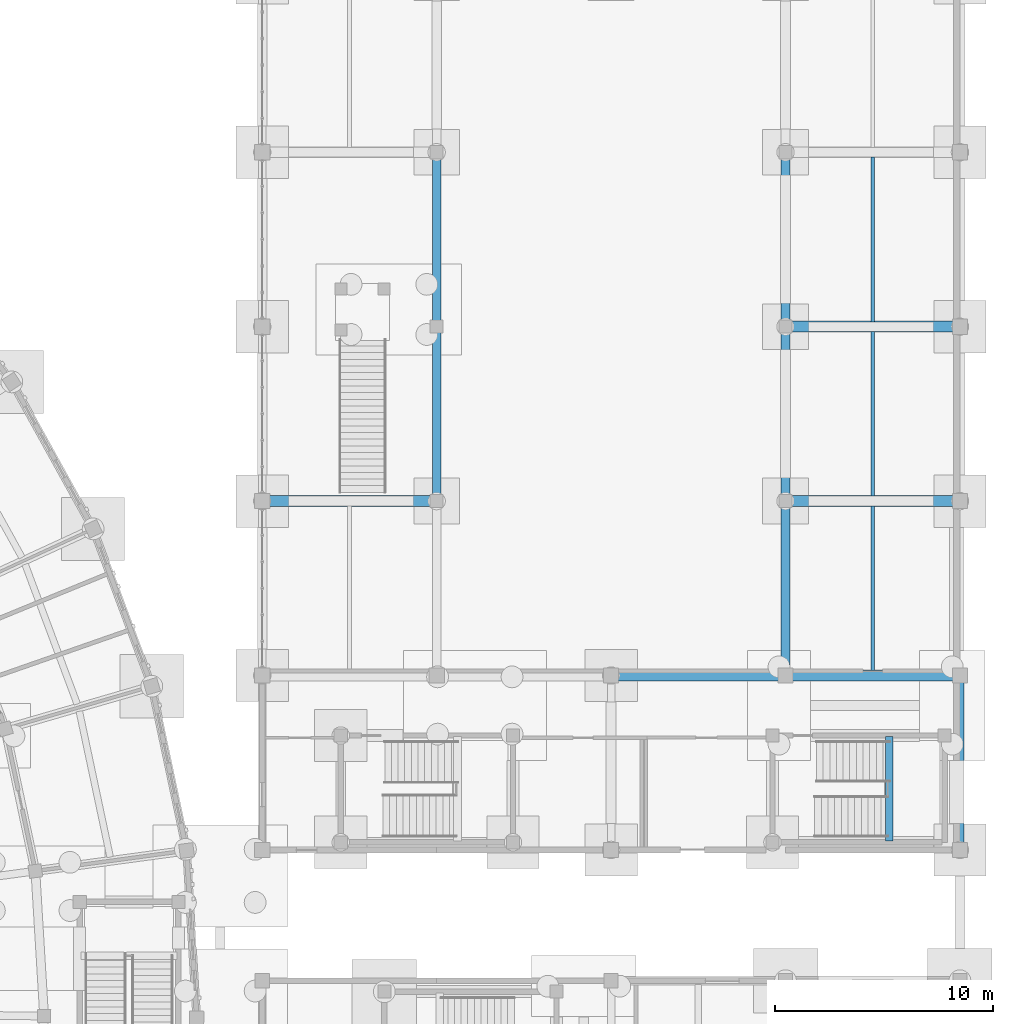
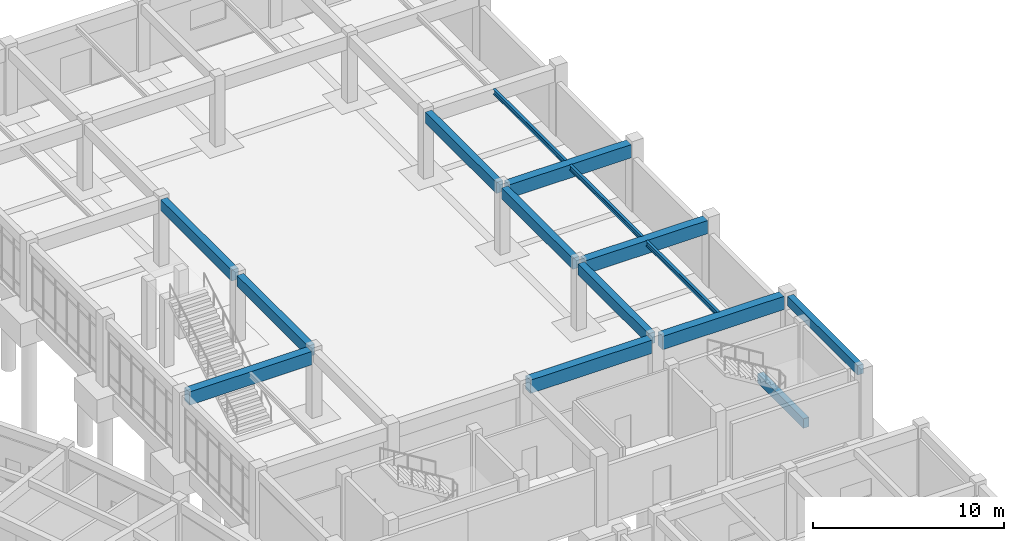
# One storey, part 98 of 153: 15 beams.
"""IFC4 building model written with IfcOpenShell, lengths in metres."""

from ifc_helpers import new_model, si_unit, direction, frame, origin, origin_2d, place, context, subcontext, project, spatial, rectangle, i_section, extrude, material, material_profile, profile_set, type_object, element, save


model = new_model("IFC4")

# Units and contexts
model_context = context("Model", 3, precision=1e-05, world=origin(), true_north=direction((0.0, 1.0)))
body_context = subcontext(model_context, "Body", "Model", "MODEL_VIEW")
ifc_project = project(units=[si_unit("LENGTHUNIT", "METRE"), si_unit("AREAUNIT", "SQUARE_METRE"), si_unit("VOLUMEUNIT", "CUBIC_METRE"), si_unit("PLANEANGLEUNIT", "RADIAN"), si_unit("MASSUNIT", "GRAM", prefix="KILO")], contexts=[model_context])

# Site, building, storey
site_placement = place(None, origin())
site = spatial("IfcSite", under=ifc_project, at=site_placement, CompositionType="ELEMENT")
building_placement = place(site_placement, origin())
building = spatial("IfcBuilding", under=site, at=building_placement, Name="Celadon Cloister-Ring School", CompositionType="ELEMENT")
storey_placement = place(building_placement, origin())
storey = spatial("IfcBuildingStorey", under=building, at=storey_placement, Name="L00", CompositionType="ELEMENT", Elevation=0.0)

# Beams
ifc_material_1 = material(Name="Concrete C35/45", Category="concrete")
ifc_material_profile_1 = material_profile(ifc_material_1, rectangle(XDim=0.39990234375, YDim=0.699951171875, at=origin_2d()), Name="RC400X700")
ifc_profile_set_1 = profile_set([ifc_material_profile_1], Name="Concrete C35/45")
beam_type_1 = type_object("IfcBeamType", Name="BT-01", PredefinedType="BEAM", material=ifc_profile_set_1)
for number, where, z_axis, x_axis, name in (
    (1, (150.0, 82.27490234375, 3.909912109375), (0.0, 1.0, 0.0), (-1.0, 0.0, 0.0), "Beam 1138"),
    (2, (150.0, 90.27490234375, 3.909912109375), (0.0, 1.0, 0.0), (-1.0, 0.0, 0.0), "Beam 1139"),
):
    element("IfcBeam", number, at=place(storey_placement, frame(where, z_axis=z_axis, x_axis=x_axis)), inside=storey, type_object=beam_type_1, Name=name, PredefinedType="BEAM", context=body_context, shape_type="SweptSolid", body=[
        extrude(rectangle(XDim=0.39990234375, YDim=0.699951171875, at=origin_2d()), origin(), (0.0, 0.0, 1.0), 7.4501953125),
    ])
beam_1_placement = place(storey_placement, frame((166.0, 74.324951171875, 3.909912109375), z_axis=(0.0, 1.0, 0.0), x_axis=(-1.0, 0.0, 0.0)))
element("IfcBeam", 3, at=beam_1_placement, inside=storey, type_object=beam_type_1, Name="Beam 1144", PredefinedType="BEAM", context=body_context, shape_type="SweptSolid", body=[
    extrude(rectangle(XDim=0.39990234375, YDim=0.699951171875, at=origin_2d()), origin(), (0.0, 0.0, 1.0), 7.400146484375),
])
for number, where, z_axis, x_axis, name in (
    (4, (166.0, 82.27490234375, 3.909912109375), (0.0, 1.0, 0.0), (-1.0, 0.0, 0.0), "Beam 1145"),
    (5, (166.0, 90.27490234375, 3.909912109375), (0.0, 1.0, 0.0), (-1.0, 0.0, 0.0), "Beam 1146"),
):
    element("IfcBeam", number, at=place(storey_placement, frame(where, z_axis=z_axis, x_axis=x_axis)), inside=storey, type_object=beam_type_1, Name=name, PredefinedType="BEAM", context=body_context, shape_type="SweptSolid", body=[
        extrude(rectangle(XDim=0.39990234375, YDim=0.699951171875, at=origin_2d()), origin(), (0.0, 0.0, 1.0), 7.4501953125),
    ])
ifc_material_2 = material(Name="Concrete C35/45", Category="concrete")
ifc_material_profile_2 = material_profile(ifc_material_2, rectangle(XDim=0.35009765625, YDim=0.60009765625, at=origin_2d()), Name="RC350X600")
ifc_profile_set_2 = profile_set([ifc_material_profile_2], Name="Concrete C35/45")
beam_type_2 = type_object("IfcBeamType", Name="BT-02", PredefinedType="BEAM", material=ifc_profile_set_2)
beam_2_placement = place(storey_placement, frame((174.0, 66.324951171875, 3.9599609375), z_axis=(0.0, 1.0, 0.0), x_axis=(-1.0, 0.0, 0.0)))
element("IfcBeam", 6, at=beam_2_placement, inside=storey, type_object=beam_type_2, Name="Beam 1149", PredefinedType="BEAM", context=body_context, shape_type="SweptSolid", body=[
    extrude(rectangle(XDim=0.35009765625, YDim=0.60009765625, at=origin_2d()), origin(), (0.0, 0.0, 1.0), 7.35009765625),
])
beam_3_placement = place(storey_placement, frame((170.7548828125, 66.39990234375, 1.64990234375), z_axis=(0.0, 1.0, 0.0), x_axis=(-1.0, 0.0, 0.0)))
element("IfcBeam", 7, at=beam_3_placement, inside=storey, type_object=beam_type_2, Name="Stair Landing Beam 1744", PredefinedType="BEAM", context=body_context, shape_type="SweptSolid", body=[
    extrude(rectangle(XDim=0.35009765625, YDim=0.60009765625, at=origin_2d()), origin(), (0.0, 0.0, 1.0), 4.800048828125),
])
ifc_material_3 = material(Name="Concrete C35/45", Category="concrete")
ifc_material_profile_3 = material_profile(ifc_material_3, rectangle(XDim=0.5, YDim=0.85009765625, at=origin_2d()), Name="RC500X850")
ifc_profile_set_3 = profile_set([ifc_material_profile_3], Name="Concrete C35/45")
beam_type_3 = type_object("IfcBeamType", Name="GT-01", PredefinedType="USERDEFINED", material=ifc_profile_set_3)
for number, where, z_axis, x_axis, name in (
    (8, (158.324951171875, 74.0, 3.8349609375), (1.0, 0.0, 0.0), (0.0, 1.0, 0.0), "Beam 1116"),
    (9, (166.324951171875, 74.0, 3.8349609375), (1.0, 0.0, 0.0), (0.0, 1.0, 0.0), "Beam 1117"),
):
    element("IfcBeam", number, at=place(storey_placement, frame(where, z_axis=z_axis, x_axis=x_axis)), inside=storey, type_object=beam_type_3, Name=name, ObjectType="GIRDER", PredefinedType="USERDEFINED", context=body_context, shape_type="SweptSolid", body=[
        extrude(rectangle(XDim=0.5, YDim=0.85009765625, at=origin_2d()), origin(), (0.0, 0.0, 1.0), 7.35009765625),
    ])
for number, where, z_axis, x_axis, name in (
    (10, (142.324951171875, 82.0, 3.8349609375), (1.0, 0.0, 0.0), (0.0, 1.0, 0.0), "Beam 1118"),
    (11, (166.27490234375, 82.0, 3.8349609375), (1.0, 0.0, 0.0), (0.0, 1.0, 0.0), "Beam 1119"),
    (12, (166.27490234375, 90.0, 3.8349609375), (1.0, 0.0, 0.0), (0.0, 1.0, 0.0), "Beam 1120"),
):
    element("IfcBeam", number, at=place(storey_placement, frame(where, z_axis=z_axis, x_axis=x_axis)), inside=storey, type_object=beam_type_3, Name=name, ObjectType="GIRDER", PredefinedType="USERDEFINED", context=body_context, shape_type="SweptSolid", body=[
        extrude(rectangle(XDim=0.5, YDim=0.85009765625, at=origin_2d()), origin(), (0.0, 0.0, 1.0), 7.400146484375),
    ])
ifc_material_4 = material(Name="Structural steel S355JR", Category="steel")
ifc_material_profile_4 = material_profile(ifc_material_4, i_section(OverallWidth=0.1650390625, OverallDepth=0.31005859375, WebThickness=0.005859375, FlangeThickness=0.009765625, at=origin_2d()), Name="W310X39")
ifc_profile_set_4 = profile_set([ifc_material_profile_4], Name="Structural steel S355JR")
beam_type_4 = type_object("IfcBeamType", Name="JT-03", PredefinedType="JOIST", material=ifc_profile_set_4)
for number, where, z_axis, x_axis, name in (
    (13, (170.0, 74.22509765625, 4.10498046875), (0.0, 1.0, 0.0), (-1.0, 0.0, 0.0), "Beam 1155"),
    (14, (170.0, 82.22509765625, 4.10498046875), (0.0, 1.0, 0.0), (-1.0, 0.0, 0.0), "Beam 1156"),
    (15, (170.0, 90.22509765625, 4.10498046875), (0.0, 1.0, 0.0), (-1.0, 0.0, 0.0), "Beam 1157"),
):
    element("IfcBeam", number, at=place(storey_placement, frame(where, z_axis=z_axis, x_axis=x_axis)), inside=storey, type_object=beam_type_4, Name=name, PredefinedType="JOIST", context=body_context, shape_type="SweptSolid", body=[
        extrude(i_section(OverallWidth=0.1650390625, OverallDepth=0.31005859375, WebThickness=0.005859375, FlangeThickness=0.009765625, at=origin_2d()), origin(), (0.0, 0.0, 1.0), 7.5498046875),
    ])

save(model, "model.ifc")
